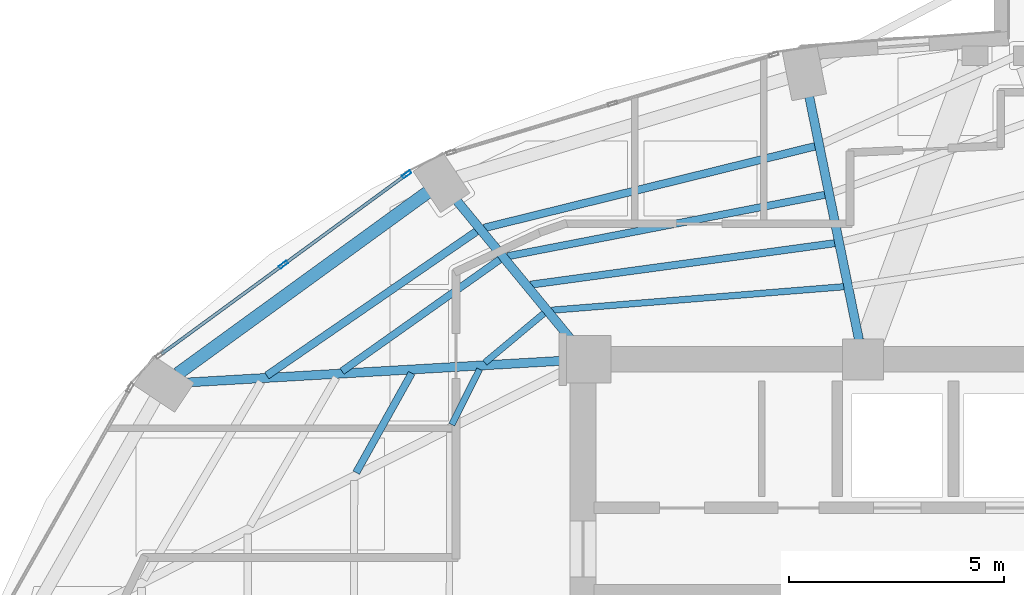
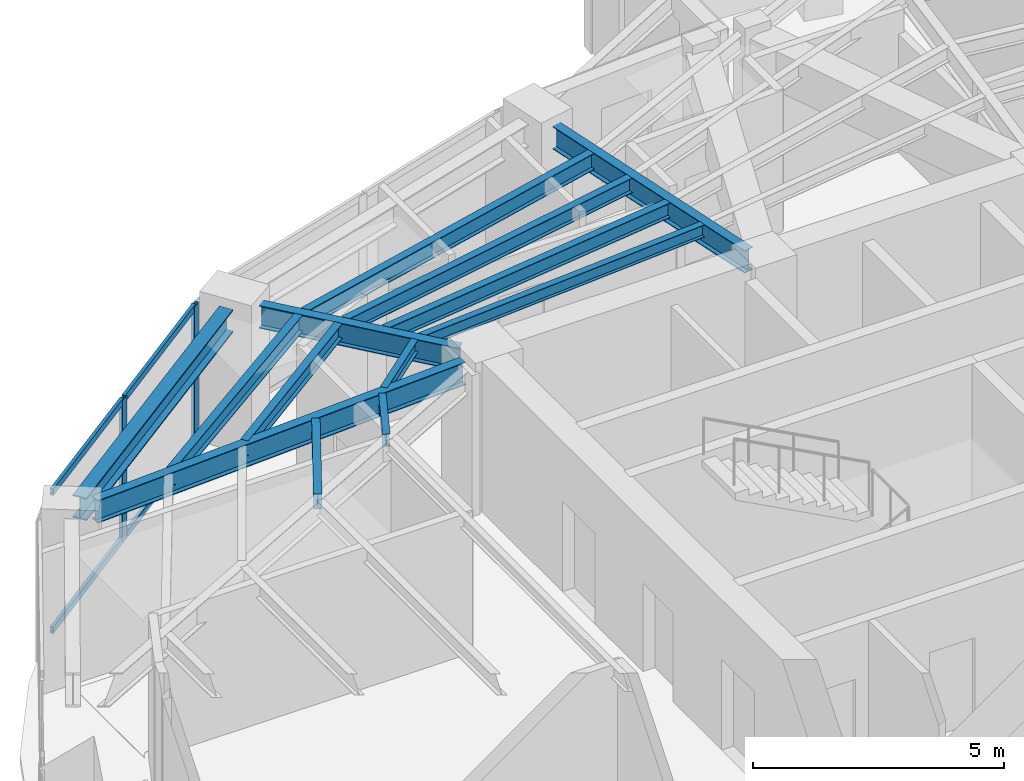
# One storey, part 7 of 20: 13 beams, 6 members, 1 element without a shape of its own.
"""IFC4 building model written with IfcOpenShell, lengths in metres."""

import ifcopenshell
import ifcopenshell.guid

model = None  # the IFC model being written
_history = None  # IfcOwnerHistory: only IFC2X3 demands one
_inside = {}  # id of a spatial element -> (the spatial element, [elements in it])
_under = {}  # id of a project, library or spatial element -> (it, [spatial elements below it])
_declared = {}  # id of a project -> (the project, [libraries it declares])
_typed = {}  # id of a type object -> (the type object, [elements of that type])
_made_of = {}  # id of a material, layer set ... -> (it, [elements and type objects made of it])


def new_model(schema):
    """Start an empty IFC model of exactly this schema.

    Asked for "IFC4X3", IfcOpenShell would pick the latest addendum, in which some entities
    have other attributes; the version numbers below select the first issue.
    IFC2X3 requires an IfcOwnerHistory on every rooted entity: one is made here for all.
    """
    global model, _history
    if schema == "IFC4X3":
        model = ifcopenshell.file(schema_version=(4, 3, 0, 0))
    else:
        model = ifcopenshell.file(schema=schema)
    _inside.clear()
    _under.clear()
    _declared.clear()
    _typed.clear()
    _made_of.clear()
    _history = None
    if model.schema == "IFC2X3":
        org = make("IfcOrganization", Name="unknown")
        user = make(
            "IfcPersonAndOrganization",
            ThePerson=make("IfcPerson", FamilyName="unknown"),
            TheOrganization=org,
        )
        app = make(
            "IfcApplication",
            ApplicationDeveloper=org,
            Version="unknown",
            ApplicationFullName="unknown",
            ApplicationIdentifier="unknown",
        )
        _history = make(
            "IfcOwnerHistory",
            OwningUser=user,
            OwningApplication=app,
            ChangeAction="ADDED",
            CreationDate=0,
        )
    return model


def make(cls, **values):
    """One entity of the class cls with the attributes given. An attribute that is None is left unset."""
    return model.create_entity(
        cls, **{name: value for name, value in values.items() if value is not None}
    )


def rooted(cls, **values):
    """An entity with a GlobalId (a new one), such as an element, a storey or a relation."""
    return make(cls, GlobalId=ifcopenshell.guid.new(), OwnerHistory=_history, **values)


def si_unit(unit_type, name, prefix=None):
    """IfcSIUnit, for example si_unit("LENGTHUNIT", "METRE", prefix="MILLI")."""
    return make("IfcSIUnit", UnitType=unit_type, Prefix=prefix, Name=name)


def assignment(units):
    """IfcUnitAssignment: the units of a project."""
    return None if units is None else make("IfcUnitAssignment", Units=units)


def point(xyz):
    """IfcCartesianPoint."""
    return None if xyz is None else make("IfcCartesianPoint", Coordinates=xyz)


def direction(xyz):
    """IfcDirection."""
    return None if xyz is None else make("IfcDirection", DirectionRatios=xyz)


def frame(location, z_axis=None, x_axis=None):
    """IfcAxis2Placement3D, a coordinate frame: its origin and axes. An axis left out is left unset."""
    return make(
        "IfcAxis2Placement3D",
        Location=point(location),
        Axis=direction(z_axis),
        RefDirection=direction(x_axis),
    )


def frame_2d(location, x_axis=None):
    """IfcAxis2Placement2D, a coordinate frame in the plane: its origin and x axis."""
    return make(
        "IfcAxis2Placement2D", Location=point(location), RefDirection=direction(x_axis)
    )


def origin():
    """The frame at (0, 0, 0) with its axes left unset."""
    return frame((0.0, 0.0, 0.0))


def origin_2d():
    """The frame at (0, 0) in the plane with its x axis left unset."""
    return frame_2d((0.0, 0.0))


def place(relative_to, where):
    """IfcLocalPlacement: puts the frame where relative to a parent placement (None: the world)."""
    return make(
        "IfcLocalPlacement", PlacementRelTo=relative_to, RelativePlacement=where
    )


def context(
    kind, dimensions, precision=None, world=None, true_north=None, identifier=None
):
    """IfcGeometricRepresentationContext, for example the 3D "Model" context."""
    return make(
        "IfcGeometricRepresentationContext",
        ContextIdentifier=identifier,
        ContextType=kind,
        CoordinateSpaceDimension=dimensions,
        Precision=precision,
        WorldCoordinateSystem=world,
        TrueNorth=true_north,
    )


def subcontext(parent, identifier, kind, view, scale=None):
    """IfcGeometricRepresentationSubContext, for example "Body" below "Model"."""
    return make(
        "IfcGeometricRepresentationSubContext",
        ContextIdentifier=identifier,
        ContextType=kind,
        ParentContext=parent,
        TargetScale=scale,
        TargetView=view,
    )


def project(units=None, contexts=None):
    """IfcProject with its units and contexts."""
    return rooted(
        "IfcProject",
        Name="project",
        RepresentationContexts=contexts,
        UnitsInContext=assignment(units),
    )


def spatial(cls, under=None, at=None, **own):
    """A site, building, storey or space (cls), placed at a placement, below another one or the project."""
    s = rooted(cls, ObjectPlacement=at, **own)
    if under is not None:
        _under.setdefault(under.id(), (under, []))[1].append(s)
    return s


def profile(cls, at=None, kind="AREA", **sizes):
    """A parametric profile (cls). Its sizes go by their IFC names, for example OverallWidth=200.0."""
    return make(cls, ProfileType=kind, Position=at, **sizes)


def hollow_rectangle(**sizes):
    """IfcRectangleHollowProfileDef."""
    return profile("IfcRectangleHollowProfileDef", **sizes)


def i_section(**sizes):
    """IfcIShapeProfileDef."""
    return profile("IfcIShapeProfileDef", **sizes)


def extrude(swept, where, along, depth):
    """IfcExtrudedAreaSolid: the profile swept, set in the frame where, extruded along a direction by depth."""
    return make(
        "IfcExtrudedAreaSolid",
        SweptArea=swept,
        Position=where,
        ExtrudedDirection=direction(along),
        Depth=depth,
    )


def shape(context_of_items, identifier, shape_type, items):
    """IfcShapeRepresentation: the items that make up one representation, for example the "Body"."""
    return make(
        "IfcShapeRepresentation",
        ContextOfItems=context_of_items,
        RepresentationIdentifier=identifier,
        RepresentationType=shape_type,
        Items=items,
    )


def material(Name=None, Category=None):
    """IfcMaterial."""
    return make("IfcMaterial", Name=Name, Category=Category)


def layer(
    of_material, thickness, ventilated=None, Name=None, Category=None, Priority=None
):
    """IfcMaterialLayer: one layer of a wall or slab, of a material (None: an air gap)."""
    return make(
        "IfcMaterialLayer",
        Material=of_material,
        LayerThickness=thickness,
        IsVentilated=ventilated,
        Name=Name,
        Category=Category,
        Priority=Priority,
    )


def layer_set(layers, Name=None):
    """IfcMaterialLayerSet."""
    return make("IfcMaterialLayerSet", MaterialLayers=layers, LayerSetName=Name)


def material_profile(
    of_material, cross_section, Name=None, Category=None, Priority=None
):
    """IfcMaterialProfile: a cross section and its material."""
    return make(
        "IfcMaterialProfile",
        Name=Name,
        Material=of_material,
        Profile=cross_section,
        Priority=Priority,
        Category=Category,
    )


def profile_set(profiles, Name=None, composite=None):
    """IfcMaterialProfileSet."""
    return make(
        "IfcMaterialProfileSet",
        Name=Name,
        MaterialProfiles=profiles,
        CompositeProfile=composite,
    )


def made_of(thing, what):
    """Note that an element or type object is made of a material, layer set ...; save() writes the relation."""
    if what is not None:
        _made_of.setdefault(what.id(), (what, []))[1].append(thing)
    return thing


def type_object(cls, material=None, **own):
    """A type object (cls), such as IfcWallType, which elements share."""
    return made_of(rooted(cls, **own), material)


def element(
    cls,
    number,
    at=None,
    inside=None,
    cuts=None,
    type_object=None,
    material=None,
    context=None,
    identifier="Body",
    shape_type=None,
    held_by="IfcProductDefinitionShape",
    body=None,
    shapes=None,
    **own,
):
    """One element of the class cls, such as IfcWall. Its Tag is "e" and its number.

    at: its placement. inside: the storey or other place that contains it. cuts: it is an
    opening in that element (IfcRelVoidsElement). A single representation is given by context,
    identifier, shape_type and body (its items); several are given by shapes. held_by: the class
    of the entity that holds the representations. save() writes the other relations.
    """
    e = rooted(cls, Tag="e%d" % number, ObjectPlacement=at, **own)
    if body is not None:
        shapes = [shape(context, identifier, shape_type, body)]
    if shapes is not None:
        e.Representation = make(held_by, Representations=shapes)
    if inside is not None:
        _inside.setdefault(inside.id(), (inside, []))[1].append(e)
    if cuts is not None:
        rooted(
            "IfcRelVoidsElement", RelatingBuildingElement=cuts, RelatedOpeningElement=e
        )
    if type_object is not None:
        _typed.setdefault(type_object.id(), (type_object, []))[1].append(e)
    return made_of(e, material)


def aggregate(whole, parts):
    """IfcRelAggregates: a whole, such as a stair, and the parts it consists of."""
    return rooted("IfcRelAggregates", RelatingObject=whole, RelatedObjects=parts)


def save(model, path):
    """Write the relations noted so far, then the file.

    IfcRelAggregates (storeys below a building ...), IfcRelContainedInSpatialStructure (elements
    in a storey), IfcRelDefinesByType, IfcRelAssociatesMaterial and IfcRelDeclares: one each for
    every whole, place, type object, material and project.
    """
    for whole, parts in _under.values():
        aggregate(whole, parts)
    for where, things in _inside.values():
        rooted(
            "IfcRelContainedInSpatialStructure",
            RelatedElements=things,
            RelatingStructure=where,
        )
    for kind, things in _typed.values():
        rooted("IfcRelDefinesByType", RelatedObjects=things, RelatingType=kind)
    for what, things in _made_of.values():
        rooted("IfcRelAssociatesMaterial", RelatedObjects=things, RelatingMaterial=what)
    for by, libraries in _declared.values():
        rooted("IfcRelDeclares", RelatingContext=by, RelatedDefinitions=libraries)
    model.write(path)


model = new_model("IFC4")

# Units and contexts
model_context = context("Model", 3, precision=1e-05, world=origin(), true_north=direction((0.0, 1.0)))
body_context = subcontext(model_context, "Body", "Model", "MODEL_VIEW")
ifc_project = project(units=[si_unit("LENGTHUNIT", "METRE"), si_unit("AREAUNIT", "SQUARE_METRE"), si_unit("VOLUMEUNIT", "CUBIC_METRE"), si_unit("PLANEANGLEUNIT", "RADIAN"), si_unit("MASSUNIT", "GRAM", prefix="KILO")], contexts=[model_context])

# Site, building, storey
site_placement = place(None, origin())
site = spatial("IfcSite", under=ifc_project, at=site_placement, CompositionType="ELEMENT")
building_placement = place(site_placement, origin())
building = spatial("IfcBuilding", under=site, at=building_placement, Name="Lazwardi Medical Tower", CompositionType="ELEMENT")
storey_placement = place(building_placement, frame((0.0, 0.0, 160.176025390625)))
storey = spatial("IfcBuildingStorey", under=building, at=storey_placement, Name="L41", CompositionType="ELEMENT", Elevation=160.176025390625)

# Beams
ifc_material_1 = material(Name="Steel S355", Category="steel")
ifc_material_profile_1 = material_profile(ifc_material_1, i_section(OverallWidth=0.300048828125, OverallDepth=0.550048828125, WebThickness=0.014892578125, FlangeThickness=0.029052734375, at=origin_2d()), Name="HEB 550")
ifc_profile_set_1 = profile_set([ifc_material_profile_1], Name="Steel S355")
beam_type_1 = type_object("IfcBeamType", Name="BM-RB-Z3", PredefinedType="BEAM", material=ifc_profile_set_1)
beam_1_placement = place(storey_placement, frame((22.689697265625, 39.479248046875, 3.153076171875), z_axis=(-0.809127570774, -0.587633026824, 0.0), x_axis=(0.587633026824, -0.809127570774, 0.0)))
element("IfcBeam", 1, at=beam_1_placement, inside=storey, type_object=beam_type_1, Name="Ring beam RB-04 B10 L41", PredefinedType="BEAM", context=body_context, shape_type="SweptSolid", body=[
    extrude(i_section(OverallWidth=0.300048828125, OverallDepth=0.550048828125, WebThickness=0.014892578125, FlangeThickness=0.029052734375, at=origin_2d()), origin(), (0.0, 0.0, 1.0), 7.170166015625),
])
ifc_material_profile_2 = material_profile(ifc_material_1, i_section(OverallWidth=0.2099609375, OverallDepth=0.550048828125, WebThickness=0.010986328125, FlangeThickness=0.01708984375, at=origin_2d()), Name="IPE 550")
ifc_profile_set_2 = profile_set([ifc_material_profile_2], Name="Steel S355")
beam_type_2 = type_object("IfcBeamType", Name="BM-RG-W2", PredefinedType="BEAM", material=ifc_profile_set_2)
beam_2_placement = place(storey_placement, frame((31.552001953125, 41.7001953125, 3.153076171875), z_axis=(0.200429485343, -0.979708130723, 0.0), x_axis=(0.979708130723, 0.200429485343, 0.0)))
element("IfcBeam", 2, at=beam_2_placement, inside=storey, type_object=beam_type_2, Name="Radial girder RG-03 R09 L41", PredefinedType="BEAM", context=body_context, shape_type="SweptSolid", body=[
    extrude(i_section(OverallWidth=0.2099609375, OverallDepth=0.550048828125, WebThickness=0.010986328125, FlangeThickness=0.01708984375, at=origin_2d()), origin(), (0.0, 0.0, 1.0), 5.766357421875),
])
beam_3_placement = place(storey_placement, frame((23.369384765625, 39.28173828125, 3.153076171875), z_axis=(0.635555639966, -0.772055068312, 0.0), x_axis=(0.772055068312, 0.635555639966, 0.0)))
element("IfcBeam", 3, at=beam_3_placement, inside=storey, type_object=beam_type_2, Name="Radial girder RG-03 R10 L41", PredefinedType="BEAM", context=body_context, shape_type="SweptSolid", body=[
    extrude(i_section(OverallWidth=0.2099609375, OverallDepth=0.550048828125, WebThickness=0.010986328125, FlangeThickness=0.01708984375, at=origin_2d()), origin(), (0.0, 0.0, 1.0), 4.233642578125),
])
beam_4_placement = place(storey_placement, frame((17.12353515625, 35.063232421875, 3.153076171875), z_axis=(0.998330154646, 0.057765927014, 0.0), x_axis=(-0.057765927014, 0.998330154646, 0.0)))
element("IfcBeam", 4, at=beam_4_placement, inside=storey, type_object=beam_type_2, Name="Radial girder RG-03 R11 L41", PredefinedType="BEAM", context=body_context, shape_type="SweptSolid", body=[
    extrude(i_section(OverallWidth=0.2099609375, OverallDepth=0.550048828125, WebThickness=0.010986328125, FlangeThickness=0.01708984375, at=origin_2d()), origin(), (0.0, 0.0, 1.0), 8.757080078125),
])
ifc_material_profile_3 = material_profile(ifc_material_1, i_section(OverallWidth=0.179931640625, OverallDepth=0.39990234375, WebThickness=0.008544921875, FlangeThickness=0.013427734375, at=origin_2d()), Name="IPE 400")
ifc_profile_set_3 = profile_set([ifc_material_profile_3], Name="Steel S355")
beam_type_3 = type_object("IfcBeamType", Name="BM-SJ-01", PredefinedType="JOIST", material=ifc_profile_set_3)
beam_5_placement = place(storey_placement, frame((31.68603515625, 40.54638671875, 3.22802734375), z_axis=(-0.970912648168, -0.239433977597, 0.0), x_axis=(0.239433977597, -0.970912648168, 0.0)))
element("IfcBeam", 5, at=beam_5_placement, inside=storey, type_object=beam_type_3, Name="Secondary joist SJ-01 R1 B09 L41", PredefinedType="JOIST", context=body_context, shape_type="SweptSolid", body=[
    extrude(i_section(OverallWidth=0.179931640625, OverallDepth=0.39990234375, WebThickness=0.008544921875, FlangeThickness=0.013427734375, at=origin_2d()), origin(), (0.0, 0.0, 1.0), 7.91162109375),
])
beam_6_placement = place(storey_placement, frame((23.8251953125, 38.5712890625, 3.22802734375), z_axis=(-0.823932256005, -0.566688307198, 0.0), x_axis=(0.566688307198, -0.823932256005, 0.0)))
element("IfcBeam", 6, at=beam_6_placement, inside=storey, type_object=beam_type_3, Name="Secondary joist SJ-01 R1 B10 L41", PredefinedType="JOIST", context=body_context, shape_type="SweptSolid", body=[
    extrude(i_section(OverallWidth=0.179931640625, OverallDepth=0.39990234375, WebThickness=0.008544921875, FlangeThickness=0.013427734375, at=origin_2d()), origin(), (0.0, 0.0, 1.0), 5.91162109375),
])
ifc_material_profile_4 = material_profile(ifc_material_1, i_section(OverallWidth=0.169921875, OverallDepth=0.360107421875, WebThickness=0.008056640625, FlangeThickness=0.0126953125, at=origin_2d()), Name="IPE 360")
ifc_profile_set_4 = profile_set([ifc_material_profile_4], Name="Steel S355")
beam_type_4 = type_object("IfcBeamType", Name="BM-SJ-02", PredefinedType="JOIST", material=ifc_profile_set_4)
beam_7_placement = place(storey_placement, frame((31.916015625, 39.42138671875, 3.248046875), z_axis=(-0.981753035865, -0.190160396953, 0.0), x_axis=(0.190160396953, -0.981753035865, 0.0)))
element("IfcBeam", 7, at=beam_7_placement, inside=storey, type_object=beam_type_4, Name="Secondary joist SJ-02 R2 B09 L41", PredefinedType="JOIST", context=body_context, shape_type="SweptSolid", body=[
    extrude(i_section(OverallWidth=0.169921875, OverallDepth=0.360107421875, WebThickness=0.008056640625, FlangeThickness=0.0126953125, at=origin_2d()), origin(), (0.0, 0.0, 1.0), 7.50927734375),
])
beam_8_placement = place(storey_placement, frame((24.364013671875, 37.91650390625, 3.248046875), z_axis=(-0.816108950798, -0.577898070967, 0.0), x_axis=(0.577898070967, -0.816108950798, 0.0)))
element("IfcBeam", 8, at=beam_8_placement, inside=storey, type_object=beam_type_4, Name="Secondary joist SJ-02 R2 B10 L41", PredefinedType="JOIST", context=body_context, shape_type="SweptSolid", body=[
    extrude(i_section(OverallWidth=0.169921875, OverallDepth=0.360107421875, WebThickness=0.008056640625, FlangeThickness=0.0126953125, at=origin_2d()), origin(), (0.0, 0.0, 1.0), 4.487060546875),
])
beam_9_placement = place(storey_placement, frame((32.146484375, 38.297119140625, 3.248046875), z_axis=(-0.990832043476, -0.135099450852, 0.0), x_axis=(0.135099450852, -0.990832043476, 0.0)))
element("IfcBeam", 9, at=beam_9_placement, inside=storey, type_object=beam_type_4, Name="Secondary joist SJ-02 R3 B09 L41", PredefinedType="JOIST", context=body_context, shape_type="SweptSolid", body=[
    extrude(i_section(OverallWidth=0.169921875, OverallDepth=0.360107421875, WebThickness=0.008056640625, FlangeThickness=0.0126953125, at=origin_2d()), origin(), (0.0, 0.0, 1.0), 7.129150390625),
])
beam_10_placement = place(storey_placement, frame((22.3203125, 35.279296875, 3.248046875), z_axis=(-0.487099444348, -0.87334651274, 0.0), x_axis=(0.87334651274, -0.487099444348, 0.0)))
element("IfcBeam", 10, at=beam_10_placement, inside=storey, type_object=beam_type_4, Name="Secondary joist SJ-02 R3 B11 L41", PredefinedType="JOIST", context=body_context, shape_type="SweptSolid", body=[
    extrude(i_section(OverallWidth=0.169921875, OverallDepth=0.360107421875, WebThickness=0.008056640625, FlangeThickness=0.0126953125, at=origin_2d()), origin(), (0.0, 0.0, 1.0), 2.64599609375),
])
ifc_material_profile_5 = material_profile(ifc_material_1, i_section(OverallWidth=0.14990234375, OverallDepth=0.300048828125, WebThickness=0.007080078125, FlangeThickness=0.0107421875, at=origin_2d()), Name="IPE 300")
ifc_profile_set_5 = profile_set([ifc_material_profile_5], Name="Steel S355")
beam_type_5 = type_object("IfcBeamType", Name="BM-SJ-03", PredefinedType="JOIST", material=ifc_profile_set_5)
beam_11_placement = place(storey_placement, frame((32.353759765625, 37.28564453125, 3.278076171875), z_axis=(-0.996785792338, -0.08011294647, 0.0), x_axis=(0.08011294647, -0.996785792338, 0.0)))
element("IfcBeam", 11, at=beam_11_placement, inside=storey, type_object=beam_type_5, Name="Secondary joist SJ-03 R4 B09 L41", PredefinedType="JOIST", context=body_context, shape_type="SweptSolid", body=[
    extrude(i_section(OverallWidth=0.14990234375, OverallDepth=0.300048828125, WebThickness=0.007080078125, FlangeThickness=0.0107421875, at=origin_2d()), origin(), (0.0, 0.0, 1.0), 6.80810546875),
])
beam_12_placement = place(storey_placement, frame((25.391357421875, 36.668212890625, 3.278076171875), z_axis=(-0.767437193893, -0.641124132621, 0.0), x_axis=(0.641124132621, -0.767437193893, 0.0)))
element("IfcBeam", 12, at=beam_12_placement, inside=storey, type_object=beam_type_5, Name="Secondary joist SJ-03 R4 B10 L41", PredefinedType="JOIST", context=body_context, shape_type="SweptSolid", body=[
    extrude(i_section(OverallWidth=0.14990234375, OverallDepth=0.300048828125, WebThickness=0.007080078125, FlangeThickness=0.0107421875, at=origin_2d()), origin(), (0.0, 0.0, 1.0), 1.787841796875),
])
beam_13_placement = place(storey_placement, frame((23.8974609375, 35.368408203125, 3.278076171875), z_axis=(-0.450406075332, -0.892823816497, 0.0), x_axis=(0.892823816497, -0.450406075332, 0.0)))
element("IfcBeam", 13, at=beam_13_placement, inside=storey, type_object=beam_type_5, Name="Secondary joist SJ-03 R4 B11 L41", PredefinedType="JOIST", context=body_context, shape_type="SweptSolid", body=[
    extrude(i_section(OverallWidth=0.14990234375, OverallDepth=0.300048828125, WebThickness=0.007080078125, FlangeThickness=0.0107421875, at=origin_2d()), origin(), (0.0, 0.0, 1.0), 1.4365234375),
])

# Curtain wall, members
ifc_material_2 = material(Name="Anodised bronze aluminium and solar control glazing", Category="aluminium")
ifc_layer = layer(ifc_material_2, 0.195068359375)
ifc_layer_set = layer_set([ifc_layer], Name="Anodised bronze aluminium and solar control glazing")
curtain_wall_type = type_object("IfcCurtainWallType", Name="CW-SYS-03", PredefinedType="NOTDEFINED", material=ifc_layer_set)
curtain_wall_placement = place(storey_placement, origin())
curtain_wall = element("IfcCurtainWall", 14, at=curtain_wall_placement, inside=storey, type_object=curtain_wall_type, Name="L41 Unitised bronze curtain wall CW-03", PredefinedType="NOTDEFINED")
ifc_material_3 = material(Name="Anodised bronze aluminium", Category="aluminium")
ifc_material_profile_6 = material_profile(ifc_material_3, hollow_rectangle(XDim=0.074951171875, YDim=0.219970703125, WallThickness=0.00390625, at=origin_2d()), Name="ALU-MULLION 220x75x4")
ifc_profile_set_6 = profile_set([ifc_material_profile_6], Name="Anodised bronze aluminium")
member_type_1 = type_object("IfcMemberType", Name="CW-MUL-01", PredefinedType="MULLION", material=ifc_profile_set_6)
member_1_placement = place(storey_placement, frame((22.204345703125, 39.894775390625, 0.0), z_axis=(0.0, 0.0, 1.0), x_axis=(0.590833862635, -0.806793249082, 0.0)))
member_1 = element("IfcMember", 15, at=member_1_placement, type_object=member_type_1, Name="CW-03 mullion 1", PredefinedType="MULLION", context=body_context, shape_type="SweptSolid", body=[
    extrude(hollow_rectangle(XDim=0.074951171875, YDim=0.219970703125, WallThickness=0.00390625, at=origin_2d()), origin(), (0.0, 0.0, 1.0), 3.427978515625),
])
member_2_placement = place(storey_placement, frame((19.34228515625, 37.798828125, 0.0), z_axis=(0.0, 0.0, 1.0), x_axis=(0.590833862635, -0.806793249082, 0.0)))
member_2 = element("IfcMember", 16, at=member_2_placement, type_object=member_type_1, Name="CW-03 mullion 2", PredefinedType="MULLION", context=body_context, shape_type="SweptSolid", body=[
    extrude(hollow_rectangle(XDim=0.074951171875, YDim=0.219970703125, WallThickness=0.00390625, at=origin_2d()), origin(), (0.0, 0.0, 1.0), 3.427978515625),
])
ifc_material_profile_7 = material_profile(ifc_material_3, hollow_rectangle(XDim=0.074951171875, YDim=0.159912109375, WallThickness=0.00390625, at=origin_2d()), Name="ALU-TRANSOM 160x75x4")
ifc_profile_set_7 = profile_set([ifc_material_profile_7], Name="Anodised bronze aluminium")
member_type_2 = type_object("IfcMemberType", Name="CW-TRN-01", PredefinedType="USERDEFINED", material=ifc_profile_set_7)
member_3_placement = place(storey_placement, frame((22.174072265625, 39.872802734375, 0.037353515625), z_axis=(-0.806773646358, -0.590860629542, 0.0), x_axis=(0.590860629542, -0.806773646358, 0.0)))
member_3 = element("IfcMember", 17, at=member_3_placement, type_object=member_type_2, Name="CW-03 transom 1.1", ObjectType="TRANSOM", PredefinedType="USERDEFINED", context=body_context, shape_type="SweptSolid", body=[
    extrude(hollow_rectangle(XDim=0.074951171875, YDim=0.159912109375, WallThickness=0.00390625, at=origin_2d()), origin(), (0.0, 0.0, 1.0), 3.472412109375),
])
member_4_placement = place(storey_placement, frame((22.174072265625, 39.872802734375, 3.390380859375), z_axis=(-0.806773646358, -0.590860629542, 0.0), x_axis=(0.590860629542, -0.806773646358, 0.0)))
member_4 = element("IfcMember", 18, at=member_4_placement, type_object=member_type_2, Name="CW-03 transom 1.2", ObjectType="TRANSOM", PredefinedType="USERDEFINED", context=body_context, shape_type="SweptSolid", body=[
    extrude(hollow_rectangle(XDim=0.074951171875, YDim=0.159912109375, WallThickness=0.00390625, at=origin_2d()), origin(), (0.0, 0.0, 1.0), 3.472412109375),
])
member_5_placement = place(storey_placement, frame((19.31201171875, 37.77685546875, 0.037353515625), z_axis=(-0.806773646358, -0.590860629542, 0.0), x_axis=(0.590860629542, -0.806773646358, 0.0)))
member_5 = element("IfcMember", 19, at=member_5_placement, type_object=member_type_2, Name="CW-03 transom 2.1", ObjectType="TRANSOM", PredefinedType="USERDEFINED", context=body_context, shape_type="SweptSolid", body=[
    extrude(hollow_rectangle(XDim=0.074951171875, YDim=0.159912109375, WallThickness=0.00390625, at=origin_2d()), origin(), (0.0, 0.0, 1.0), 3.472412109375),
])
member_6_placement = place(storey_placement, frame((19.31201171875, 37.77685546875, 3.390380859375), z_axis=(-0.806773646358, -0.590860629542, 0.0), x_axis=(0.590860629542, -0.806773646358, 0.0)))
member_6 = element("IfcMember", 20, at=member_6_placement, type_object=member_type_2, Name="CW-03 transom 2.2", ObjectType="TRANSOM", PredefinedType="USERDEFINED", context=body_context, shape_type="SweptSolid", body=[
    extrude(hollow_rectangle(XDim=0.074951171875, YDim=0.159912109375, WallThickness=0.00390625, at=origin_2d()), origin(), (0.0, 0.0, 1.0), 3.472412109375),
])
aggregate(curtain_wall, [member_1, member_2, member_3, member_4, member_5, member_6])

save(model, "model.ifc")
